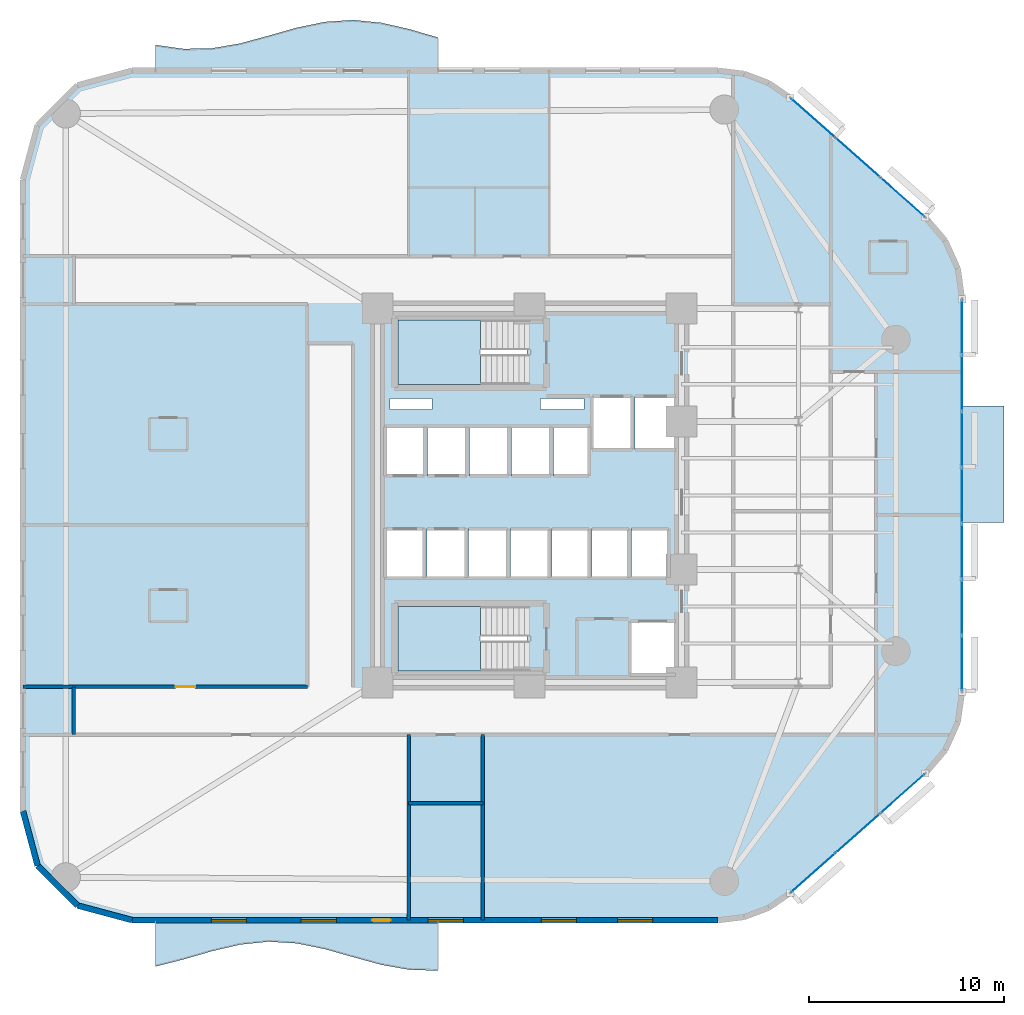
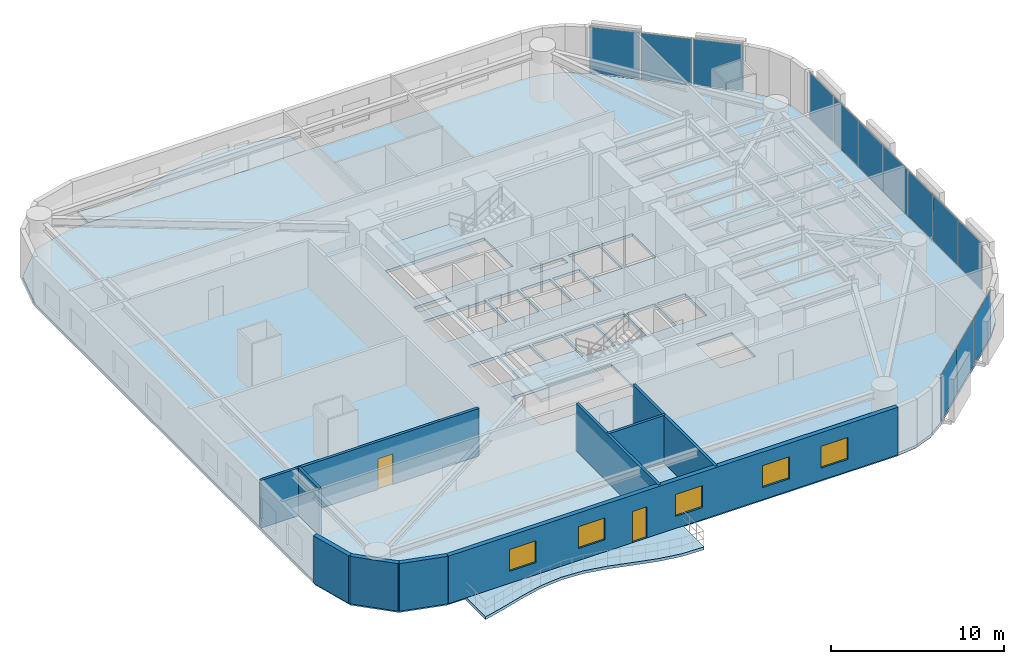
# One storey, part 9 of 16: 13 plates, 9 walls, 6 slabs, 5 windows, 2 doors, 7 openings, 5 elements without a shape of their own.
"""IFC4 building model written with IfcOpenShell, lengths in metres."""

from ifc_helpers import new_model, si_unit, direction, frame, frame_2d, origin, origin_2d, place, context, subcontext, project, spatial, polyline, rectangle, outline, extrude, material, layer, layer_set, type_object, element, fill, aggregate, save


model = new_model("IFC4")

# Units and contexts
model_context = context("Model", 3, precision=1e-05, world=origin(), true_north=direction((0.0, 1.0)))
body_context = subcontext(model_context, "Body", "Model", "MODEL_VIEW")
ifc_project = project(units=[si_unit("LENGTHUNIT", "METRE"), si_unit("AREAUNIT", "SQUARE_METRE"), si_unit("VOLUMEUNIT", "CUBIC_METRE"), si_unit("PLANEANGLEUNIT", "RADIAN"), si_unit("MASSUNIT", "GRAM", prefix="KILO")], contexts=[model_context])

# Site, building, storey
site_placement = place(None, origin())
site = spatial("IfcSite", under=ifc_project, at=site_placement, CompositionType="ELEMENT")
building_placement = place(site_placement, origin())
building = spatial("IfcBuilding", under=site, at=building_placement, Name="An Khanh Terracotta Commons", CompositionType="ELEMENT")
storey_placement = place(building_placement, frame((0.0, 0.0, 72.0)))
storey = spatial("IfcBuildingStorey", under=building, at=storey_placement, Name="L19", CompositionType="ELEMENT", Elevation=72.0)

# Curtain wall, plates
ifc_material_1 = material(Name="Anodised Aluminium 6063-T6", Category="aluminium")
ifc_layer_1 = layer(ifc_material_1, 0.199951171875, Name="Anodised Aluminium 6063-T6")
ifc_layer_set_1 = layer_set([ifc_layer_1], Name="Anodised Aluminium 6063-T6")
curtain_wall_type = type_object("IfcCurtainWallType", Name="CW-SYS-02", PredefinedType="USERDEFINED", material=ifc_layer_set_1)
curtain_wall_1_placement = place(storey_placement, origin())
curtain_wall_1 = element("IfcCurtainWall", 1, at=curtain_wall_1_placement, inside=storey, type_object=curtain_wall_type, Name="L19 CW-02 Unitised Curtain Wall CW-L19-08", ObjectType="UNITISED CURTAIN WALL", PredefinedType="USERDEFINED")
ifc_material_2 = material(Name="Double Low-E Solar Control Glazing", Category="glass")
ifc_layer_2 = layer(ifc_material_2, 0.028076171875, Name="Double Low-E Solar Control Glazing")
ifc_layer_set_2 = layer_set([ifc_layer_2], Name="Double Low-E Solar Control Glazing")
plate_type = type_object("IfcPlateType", Name="CWP-IGU-28", PredefinedType="CURTAIN_PANEL", material=ifc_layer_set_2)
plate_1_placement = place(storey_placement, frame((43.95556640625, 4.637939453125, 0.06005859375), z_axis=(0.0, 0.0, 1.0), x_axis=(0.749019284633, 0.662548195415, 0.0)))
plate_1 = element("IfcPlate", 2, at=plate_1_placement, type_object=plate_type, Name="CW-02 panel 1.1", PredefinedType="CURTAIN_PANEL", context=body_context, shape_type="SweptSolid", body=[
    extrude(rectangle(XDim=2.97509765625, YDim=0.028076171875, at=origin_2d()), origin(), (0.0, 0.0, 1.0), 3.239990234375),
])
plate_2_placement = place(storey_placement, frame((46.24951171875, 6.6669921875, 0.06005859375), z_axis=(0.0, 0.0, 1.0), x_axis=(0.749019284633, 0.662548195415, 0.0)))
plate_2 = element("IfcPlate", 3, at=plate_2_placement, type_object=plate_type, Name="CW-02 panel 2.1", PredefinedType="CURTAIN_PANEL", context=body_context, shape_type="SweptSolid", body=[
    extrude(rectangle(XDim=3.010009765625, YDim=0.028076171875, at=origin_2d()), origin(), (0.0, 0.0, 1.0), 3.239990234375),
])
plate_3_placement = place(storey_placement, frame((48.54345703125, 8.696044921875, 0.06005859375), z_axis=(0.0, 0.0, 1.0), x_axis=(0.749019284633, 0.662548195415, 0.0)))
plate_3 = element("IfcPlate", 4, at=plate_3_placement, type_object=plate_type, Name="CW-02 panel 3.1", PredefinedType="CURTAIN_PANEL", context=body_context, shape_type="SweptSolid", body=[
    extrude(rectangle(XDim=2.97509765625, YDim=0.028076171875, at=origin_2d()), origin(), (0.0, 0.0, 1.0), 3.239990234375),
])
aggregate(curtain_wall_1, [plate_1, plate_2, plate_3])

curtain_wall_2_placement = place(storey_placement, origin())
curtain_wall_2 = element("IfcCurtainWall", 5, at=curtain_wall_2_placement, inside=storey, type_object=curtain_wall_type, Name="L19 CW-02 Unitised Curtain Wall CW-L19-12", ObjectType="UNITISED CURTAIN WALL", PredefinedType="USERDEFINED")
plate_4_placement = place(storey_placement, frame((51.60009765625, 15.380126953125, 0.06005859375), z_axis=(0.0, 0.0, 1.0), x_axis=(0.0, 1.0, 0.0)))
plate_4 = element("IfcPlate", 6, at=plate_4_placement, type_object=plate_type, Name="CW-02 panel 1.1", PredefinedType="CURTAIN_PANEL", context=body_context, shape_type="SweptSolid", body=[
    extrude(rectangle(XDim=2.774169921875, YDim=0.028076171875, at=origin_2d()), origin(), (0.0, 0.0, 1.0), 3.239990234375),
])
plate_5_placement = place(storey_placement, frame((51.60009765625, 18.24169921875, 0.06005859375), z_axis=(0.0, 0.0, 1.0), x_axis=(0.0, 1.0, 0.0)))
plate_5 = element("IfcPlate", 7, at=plate_5_placement, type_object=plate_type, Name="CW-02 panel 2.1", PredefinedType="CURTAIN_PANEL", context=body_context, shape_type="SweptSolid", body=[
    extrude(rectangle(XDim=2.80908203125, YDim=0.028076171875, at=origin_2d()), origin(), (0.0, 0.0, 1.0), 3.239990234375),
])
plate_6_placement = place(storey_placement, frame((51.60009765625, 21.120849609375, 0.06005859375), z_axis=(0.0, 0.0, 1.0), x_axis=(0.0, 1.0, 0.0)))
plate_6 = element("IfcPlate", 8, at=plate_6_placement, type_object=plate_type, Name="CW-02 panel 3.1", PredefinedType="CURTAIN_PANEL", context=body_context, shape_type="SweptSolid", body=[
    extrude(rectangle(XDim=2.80908203125, YDim=0.028076171875, at=origin_2d()), origin(), (0.0, 0.0, 1.0), 3.239990234375),
])
plate_7_placement = place(storey_placement, frame((51.60009765625, 24.0, 0.06005859375), z_axis=(0.0, 0.0, 1.0), x_axis=(0.0, 1.0, 0.0)))
plate_7 = element("IfcPlate", 9, at=plate_7_placement, type_object=plate_type, Name="CW-02 panel 4.1", PredefinedType="CURTAIN_PANEL", context=body_context, shape_type="SweptSolid", body=[
    extrude(rectangle(XDim=2.80908203125, YDim=0.028076171875, at=origin_2d()), origin(), (0.0, 0.0, 1.0), 3.239990234375),
])
plate_8_placement = place(storey_placement, frame((51.60009765625, 26.879150390625, 0.06005859375), z_axis=(0.0, 0.0, 1.0), x_axis=(0.0, 1.0, 0.0)))
plate_8 = element("IfcPlate", 10, at=plate_8_placement, type_object=plate_type, Name="CW-02 panel 5.1", PredefinedType="CURTAIN_PANEL", context=body_context, shape_type="SweptSolid", body=[
    extrude(rectangle(XDim=2.80908203125, YDim=0.028076171875, at=origin_2d()), origin(), (0.0, 0.0, 1.0), 3.239990234375),
])
plate_9_placement = place(storey_placement, frame((51.60009765625, 29.75830078125, 0.06005859375), z_axis=(0.0, 0.0, 1.0), x_axis=(0.0, 1.0, 0.0)))
plate_9 = element("IfcPlate", 11, at=plate_9_placement, type_object=plate_type, Name="CW-02 panel 6.1", PredefinedType="CURTAIN_PANEL", context=body_context, shape_type="SweptSolid", body=[
    extrude(rectangle(XDim=2.80908203125, YDim=0.028076171875, at=origin_2d()), origin(), (0.0, 0.0, 1.0), 3.239990234375),
])
plate_10_placement = place(storey_placement, frame((51.60009765625, 32.619873046875, 0.06005859375), z_axis=(0.0, 0.0, 1.0), x_axis=(0.0, 1.0, 0.0)))
plate_10 = element("IfcPlate", 12, at=plate_10_placement, type_object=plate_type, Name="CW-02 panel 7.1", PredefinedType="CURTAIN_PANEL", context=body_context, shape_type="SweptSolid", body=[
    extrude(rectangle(XDim=2.774169921875, YDim=0.028076171875, at=origin_2d()), origin(), (0.0, 0.0, 1.0), 3.239990234375),
])
aggregate(curtain_wall_2, [plate_4, plate_5, plate_6, plate_7, plate_8, plate_9, plate_10])

curtain_wall_3_placement = place(storey_placement, origin())
curtain_wall_3 = element("IfcCurtainWall", 13, at=curtain_wall_3_placement, inside=storey, type_object=curtain_wall_type, Name="L19 CW-02 Unitised Curtain Wall CW-L19-16", ObjectType="UNITISED CURTAIN WALL", PredefinedType="USERDEFINED")
plate_11_placement = place(storey_placement, frame((48.54345703125, 39.303955078125, 0.06005859375), z_axis=(0.0, 0.0, 1.0), x_axis=(-0.749019284633, 0.662548195415, 0.0)))
plate_11 = element("IfcPlate", 14, at=plate_11_placement, type_object=plate_type, Name="CW-02 panel 1.1", PredefinedType="CURTAIN_PANEL", context=body_context, shape_type="SweptSolid", body=[
    extrude(rectangle(XDim=2.97509765625, YDim=0.028076171875, at=origin_2d()), origin(), (0.0, 0.0, 1.0), 3.239990234375),
])
plate_12_placement = place(storey_placement, frame((46.24951171875, 41.3330078125, 0.06005859375), z_axis=(0.0, 0.0, 1.0), x_axis=(-0.749019284633, 0.662548195415, 0.0)))
plate_12 = element("IfcPlate", 15, at=plate_12_placement, type_object=plate_type, Name="CW-02 panel 2.1", PredefinedType="CURTAIN_PANEL", context=body_context, shape_type="SweptSolid", body=[
    extrude(rectangle(XDim=3.010009765625, YDim=0.028076171875, at=origin_2d()), origin(), (0.0, 0.0, 1.0), 3.239990234375),
])
plate_13_placement = place(storey_placement, frame((43.95556640625, 43.362060546875, 0.06005859375), z_axis=(0.0, 0.0, 1.0), x_axis=(-0.749019284633, 0.662548195415, 0.0)))
plate_13 = element("IfcPlate", 16, at=plate_13_placement, type_object=plate_type, Name="CW-02 panel 3.1", PredefinedType="CURTAIN_PANEL", context=body_context, shape_type="SweptSolid", body=[
    extrude(rectangle(XDim=2.97509765625, YDim=0.028076171875, at=origin_2d()), origin(), (0.0, 0.0, 1.0), 3.239990234375),
])
aggregate(curtain_wall_3, [plate_11, plate_12, plate_13])

# Slabs
ifc_material_3 = material(Name="Concrete C40/50", Category="concrete")
ifc_layer_3 = layer(ifc_material_3, 0.199951171875, Name="Concrete C40/50")
ifc_layer_set_3 = layer_set([ifc_layer_3], Name="Concrete C40/50")
slab_type_1 = type_object("IfcSlabType", Name="SLAB-BALC-200", PredefinedType="FLOOR", material=ifc_layer_set_3)
slab_1_placement = place(storey_placement, frame((0.0, 0.0, -0.199951171875)))
element("IfcSlab", 17, at=slab_1_placement, inside=storey, type_object=slab_type_1, Name="L19 S Sinusoidal Wave Balcony Slab", PredefinedType="FLOOR", context=body_context, shape_type="SweptSolid", body=[
    extrude(outline(polyline([(10.199951171875, 2.199951171875), (10.199951171875, -0.179931640625), (11.64990234375, 0.18896484375), (13.10009765625, 0.610107421875), (14.550048828125, 0.947998046875), (16.0, 1.097900390625), (17.449951171875, 1.010986328125), (18.89990234375, 0.716064453125), (20.35009765625, 0.305908203125), (21.800048828125, -0.091064453125), (23.25, -0.347900390625), (24.699951171875, -0.385986328125), (24.699951171875, 2.199951171875), (10.199951171875, 2.199951171875)])), origin(), (0.0, 0.0, 1.0), 0.199951171875),
])
slab_2_placement = place(storey_placement, frame((0.0, 0.0, -0.199951171875)))
element("IfcSlab", 18, at=slab_2_placement, inside=storey, type_object=slab_type_1, Name="L19 N Sinusoidal Wave Balcony Slab", PredefinedType="FLOOR", context=body_context, shape_type="SweptSolid", body=[
    extrude(outline(polyline([(24.699951171875, 45.800048828125), (24.699951171875, 47.50390625), (23.25, 47.923095703125), (21.800048828125, 48.257080078125), (20.35009765625, 48.39892578125), (18.89990234375, 48.303955078125), (17.449951171875, 48.00390625), (16.0, 47.591064453125), (14.550048828125, 47.197021484375), (13.10009765625, 46.946044921875), (11.64990234375, 46.9169921875), (10.199951171875, 47.1201171875), (10.199951171875, 45.800048828125), (24.699951171875, 45.800048828125)])), origin(), (0.0, 0.0, 1.0), 0.199951171875),
])
ifc_layer_4 = layer(ifc_material_3, 0.22998046875, Name="Concrete C40/50")
ifc_layer_set_4 = layer_set([ifc_layer_4], Name="Concrete C40/50")
slab_type_2 = type_object("IfcSlabType", Name="SLAB-BOXROOF-230", PredefinedType="ROOF", material=ifc_layer_set_4)
slab_3_placement = place(storey_placement, frame((0.0, 0.0, -0.199951171875)))
element("IfcSlab", 19, at=slab_3_placement, inside=storey, type_object=slab_type_2, Name="L19 Shifted Social Kitchen Box Closing Roof Slab (L18)", PredefinedType="ROOF", context=body_context, shape_type="SweptSolid", body=[
    extrude(outline(polyline([(51.60009765625, 22.60009765625), (53.75, 22.60009765625), (53.75, 28.60009765625), (51.60009765625, 28.60009765625), (51.60009765625, 22.60009765625)])), origin(), (0.0, 0.0, 1.0), 0.199951171875),
])

# Stair, slab
ifc_material_4 = material(Name="Precast concrete C40/50", Category="concrete")
stair_type = type_object("IfcStairType", Name="STAIR-CORE-1550", PredefinedType="HALF_TURN_STAIR", material=ifc_material_4)
stair_1_placement = place(storey_placement, origin())
stair_1 = element("IfcStair", 20, at=stair_1_placement, inside=storey, type_object=stair_type, Name="L19 Core Smokeproof Exit Stair ST-01", PredefinedType="HALF_TURN_STAIR")
ifc_layer_5 = layer(ifc_material_3, 0.18994140625, Name="Concrete C40/50")
ifc_layer_set_5 = layer_set([ifc_layer_5], Name="Concrete C40/50")
slab_type_3 = type_object("IfcSlabType", Name="SLAB-LANDING-190", PredefinedType="LANDING", material=ifc_layer_set_5)
slab_4_placement = place(storey_placement, frame((0.0, 0.0, 1.60009765625)))
slab_4 = element("IfcSlab", 21, at=slab_4_placement, type_object=slab_type_3, Name="ST-01 landing 1", PredefinedType="LANDING", context=body_context, shape_type="SweptSolid", body=[
    extrude(outline(polyline([(26.889892578125, 33.0), (22.64990234375, 33.0), (22.64990234375, 29.699951171875), (26.889892578125, 29.699951171875), (26.889892578125, 33.0)])), origin(), (0.0, 0.0, 1.0), 0.199951171875),
])
aggregate(stair_1, [slab_4])

stair_2_placement = place(storey_placement, origin())
stair_2 = element("IfcStair", 22, at=stair_2_placement, inside=storey, type_object=stair_type, Name="L19 Core Smokeproof Exit Stair ST-02", PredefinedType="HALF_TURN_STAIR")
slab_5_placement = place(storey_placement, frame((0.0, 0.0, 1.60009765625)))
slab_5 = element("IfcSlab", 23, at=slab_5_placement, type_object=slab_type_3, Name="ST-02 landing 1", PredefinedType="LANDING", context=body_context, shape_type="SweptSolid", body=[
    extrude(outline(polyline([(26.889892578125, 18.300048828125), (22.64990234375, 18.300048828125), (22.64990234375, 15.0), (26.889892578125, 15.0), (26.889892578125, 18.300048828125)])), origin(), (0.0, 0.0, 1.0), 0.199951171875),
])
aggregate(stair_2, [slab_5])

# Slab
ifc_layer_6 = layer(ifc_material_3, 0.199951171875, Name="Concrete C40/50")
ifc_layer_set_6 = layer_set([ifc_layer_6], Name="Concrete C40/50")
slab_type_4 = type_object("IfcSlabType", Name="SLAB-TYP-200", PredefinedType="FLOOR", material=ifc_layer_set_6)
slab_6_placement = place(storey_placement, frame((0.0, 0.0, -0.199951171875)))
element("IfcSlab", 24, at=slab_6_placement, inside=storey, type_object=slab_type_4, Name="L19 Structural Floor Slab", PredefinedType="FLOOR", context=body_context, shape_type="SweptSolid", body=[
    extrude(outline(polyline([(3.39990234375, 7.800048828125), (4.14990234375, 5.0), (6.199951171875, 2.949951171875), (9.0, 2.199951171875), (39.0791015625, 2.199951171875), (40.4169921875, 2.362060546875), (41.678955078125, 2.840087890625), (42.7890625, 3.60595703125), (49.7099609375, 9.72802734375), (50.73193359375, 10.927978515625), (51.37890625, 12.363037109375), (51.60009765625, 13.923095703125), (51.60009765625, 34.076904296875), (51.37890625, 35.636962890625), (50.73193359375, 37.072021484375), (49.7099609375, 38.27197265625), (42.7890625, 44.39404296875), (41.678955078125, 45.159912109375), (40.4169921875, 45.637939453125), (39.0791015625, 45.800048828125), (9.0, 45.800048828125), (6.199951171875, 45.050048828125), (4.14990234375, 43.0), (3.39990234375, 40.199951171875), (3.39990234375, 7.800048828125)]), holes=[polyline([(22.64990234375, 29.699951171875), (29.27001953125, 29.699951171875), (29.27001953125, 33.0), (22.64990234375, 33.0), (22.64990234375, 29.699951171875)]), polyline([(22.64990234375, 15.0), (29.27001953125, 15.0), (29.27001953125, 18.300048828125), (22.64990234375, 18.300048828125), (22.64990234375, 15.0)]), polyline([(32.60009765625, 26.35009765625), (34.679931640625, 26.35009765625), (34.679931640625, 29.080078125), (32.60009765625, 29.080078125), (32.60009765625, 26.35009765625)]), polyline([(34.820068359375, 26.35009765625), (36.89990234375, 26.35009765625), (36.89990234375, 29.080078125), (34.820068359375, 29.080078125), (34.820068359375, 26.35009765625)]), polyline([(34.550048828125, 14.800048828125), (36.89990234375, 14.800048828125), (36.89990234375, 17.550048828125), (34.550048828125, 17.550048828125), (34.550048828125, 14.800048828125)]), polyline([(22.0, 25.0), (24.02001953125, 25.0), (24.02001953125, 27.5), (22.0, 27.5), (22.0, 25.0)]), polyline([(24.159912109375, 25.0), (26.179931640625, 25.0), (26.179931640625, 27.5), (24.159912109375, 27.5), (24.159912109375, 25.0)]), polyline([(22.0, 19.800048828125), (24.0, 19.800048828125), (24.0, 22.300048828125), (22.0, 22.300048828125), (22.0, 19.800048828125)]), polyline([(24.139892578125, 19.800048828125), (26.139892578125, 19.800048828125), (26.139892578125, 22.300048828125), (24.139892578125, 22.300048828125), (24.139892578125, 19.800048828125)]), polyline([(26.320068359375, 25.0), (28.340087890625, 25.0), (28.340087890625, 27.5), (26.320068359375, 27.5), (26.320068359375, 25.0)]), polyline([(28.47998046875, 25.0), (30.5, 25.0), (30.5, 27.5), (28.47998046875, 27.5), (28.47998046875, 25.0)]), polyline([(26.280029296875, 19.800048828125), (28.280029296875, 19.800048828125), (28.280029296875, 22.300048828125), (26.280029296875, 22.300048828125), (26.280029296875, 19.800048828125)]), polyline([(28.419921875, 19.800048828125), (30.419921875, 19.800048828125), (30.419921875, 22.300048828125), (28.419921875, 22.300048828125), (28.419921875, 19.800048828125)]), polyline([(30.639892578125, 25.0), (32.4599609375, 25.0), (32.4599609375, 27.5), (30.639892578125, 27.5), (30.639892578125, 25.0)]), polyline([(30.56005859375, 19.800048828125), (32.4599609375, 19.800048828125), (32.4599609375, 22.300048828125), (30.56005859375, 22.300048828125), (30.56005859375, 19.800048828125)]), polyline([(32.60009765625, 19.800048828125), (34.5, 19.800048828125), (34.5, 22.300048828125), (32.60009765625, 22.300048828125), (32.60009765625, 19.800048828125)]), polyline([(34.639892578125, 19.800048828125), (36.5400390625, 19.800048828125), (36.5400390625, 22.300048828125), (34.639892578125, 22.300048828125), (34.639892578125, 19.800048828125)]), polyline([(22.25, 28.419921875), (24.39990234375, 28.419921875), (24.39990234375, 28.97998046875), (22.25, 28.97998046875), (22.25, 28.419921875)]), polyline([(29.949951171875, 28.419921875), (32.199951171875, 28.419921875), (32.199951171875, 28.97998046875), (29.949951171875, 28.97998046875), (29.949951171875, 28.419921875)])]), origin(), (0.0, 0.0, 1.0), 0.199951171875),
])

# Wall
ifc_material_5 = material(Name="Fire-Rated Gypsum Board on Steel Stud", Category="steel")
ifc_layer_7 = layer(ifc_material_5, 0.179931640625, Name="Fire-Rated Gypsum Board on Steel Stud")
ifc_layer_set_7 = layer_set([ifc_layer_7], Name="Fire-Rated Gypsum Board on Steel Stud")
wall_type_1 = type_object("IfcWallType", Name="WALL-CORR-180", PredefinedType="PARTITIONING", material=ifc_layer_set_7)
wall_1_placement = place(storey_placement, frame((23.199951171875, 8.199951171875, 0.0), z_axis=(0.0, 0.0, 1.0), x_axis=(1.0, 0.0, 0.0)))
element("IfcWall", 25, at=wall_1_placement, inside=storey, type_object=wall_type_1, Name="L19 Interior Partition IW-L19-E001", PredefinedType="PARTITIONING", context=body_context, shape_type="SweptSolid", body=[
    extrude(rectangle(XDim=3.800048828125, YDim=0.179931640625, at=frame_2d((1.89990234375, 0.0))), origin(), (0.0, 0.0, 1.0), 3.360107421875),
])

# Wall, opening, door
wall_2_placement = place(storey_placement, frame((3.39990234375, 14.179931640625, 0.0), z_axis=(0.0, 0.0, 1.0), x_axis=(1.0, 0.0, 0.0)))
wall_2 = element("IfcWall", 26, at=wall_2_placement, inside=storey, type_object=wall_type_1, Name="L19 Interior Partition IW-L19-E003", PredefinedType="PARTITIONING", context=body_context, shape_type="SweptSolid", body=[
    extrude(rectangle(XDim=14.60009765625, YDim=0.179931640625, at=frame_2d((7.300048828125, 0.0))), origin(), (0.0, 0.0, 1.0), 3.360107421875),
])
opening_1_placement = place(wall_2_placement, frame((7.840087890625, 0.0, 0.0)))
opening_1 = element("IfcOpeningElement", 27, at=opening_1_placement, cuts=wall_2, Name="Opening D-UN", PredefinedType="OPENING", context=body_context, shape_type="SweptSolid", body=[
    extrude(rectangle(XDim=1.0, YDim=2.14990234375, at=frame_2d((0.5, 1.074951171875))), frame((0.0, 0.099853515625, 0.0), z_axis=(0.0, -1.0, 0.0), x_axis=(1.0, 0.0, 0.0)), (0.0, 0.0, 1.0), 0.199951171875),
])
ifc_material_6 = material(Name="Solid-Core Hardwood Acoustic Fire Door", Category="wood")
door_type_1 = type_object("IfcDoorType", Name="DOOR-UNIT-1000", OperationType="NOTDEFINED", PredefinedType="DOOR", material=ifc_material_6)
door_1_placement = place(opening_1_placement, origin())
door_1 = element("IfcDoor", 28, at=door_1_placement, inside=storey, type_object=door_type_1, Name="L19 WW1 Kitchenette and Studio Apartment Door", OperationType="SINGLE_SWING_LEFT", OverallHeight=2.14990234375, OverallWidth=1.0, PredefinedType="DOOR", context=body_context, shape_type="SweptSolid", body=[
    extrude(rectangle(XDim=1.0, YDim=2.14990234375, at=frame_2d((0.5, 1.074951171875))), frame((0.0, 0.02490234375, 0.0), z_axis=(0.0, -1.0, 0.0), x_axis=(1.0, 0.0, 0.0)), (0.0, 0.0, 1.0), 0.050048828125),
])
fill(opening_1, door_1)

# Walls
wall_3_placement = place(storey_placement, frame((6.0, 11.719970703125, 0.0), z_axis=(0.0, 0.0, 1.0), x_axis=(0.0, 1.0, 0.0)))
element("IfcWall", 29, at=wall_3_placement, inside=storey, type_object=wall_type_1, Name="L19 Interior Partition IW-L19-E014", PredefinedType="PARTITIONING", context=body_context, shape_type="SweptSolid", body=[
    extrude(rectangle(XDim=2.4599609375, YDim=0.179931640625, at=frame_2d((1.22998046875, 0.0))), origin(), (0.0, 0.0, 1.0), 3.360107421875),
])
for number, where, z_axis, x_axis, name in (
    (30, (23.199951171875, 2.199951171875, 0.0), (0.0, 0.0, 1.0), (0.0, 1.0, 0.0), "L19 Interior Partition IW-L19-E018"),
    (31, (27.0, 2.199951171875, 0.0), (0.0, 0.0, 1.0), (0.0, 1.0, 0.0), "L19 Interior Partition IW-L19-E021"),
):
    element("IfcWall", number, at=place(storey_placement, frame(where, z_axis=z_axis, x_axis=x_axis)), inside=storey, type_object=wall_type_1, Name=name, PredefinedType="PARTITIONING", context=body_context, shape_type="SweptSolid", body=[
        extrude(rectangle(XDim=9.52001953125, YDim=0.179931640625, at=frame_2d((4.760009765625, 0.0))), origin(), (0.0, 0.0, 1.0), 3.360107421875),
    ])
ifc_layer_8 = layer(ifc_material_4, 0.300048828125, Name="Precast concrete C40/50")
ifc_layer_set_8 = layer_set([ifc_layer_8], Name="Precast concrete C40/50")
wall_type_2 = type_object("IfcWallType", Name="WALL-EXT-300", PredefinedType="SOLIDWALL", material=ifc_layer_set_8)
wall_4_placement = place(storey_placement, frame((3.39990234375, 7.800048828125, 0.0), z_axis=(0.0, 0.0, 1.0), x_axis=(0.258731875344, -0.96594917914, 0.0)))
element("IfcWall", 32, at=wall_4_placement, inside=storey, type_object=wall_type_2, Name="L19 Insulated Terracotta Exterior Wall 1", PredefinedType="SOLIDWALL", context=body_context, shape_type="SweptSolid", body=[
    extrude(rectangle(XDim=2.898681640625, YDim=0.300048828125, at=frame_2d((1.44921875, 0.0))), origin(), (0.0, 0.0, 1.0), 3.360107421875),
])
wall_5_placement = place(storey_placement, frame((4.14990234375, 5.0, 0.0), z_axis=(0.0, 0.0, 1.0), x_axis=(0.707106781187, -0.707106781187, 0.0)))
element("IfcWall", 33, at=wall_5_placement, inside=storey, type_object=wall_type_2, Name="L19 Insulated Terracotta Exterior Wall 2", PredefinedType="SOLIDWALL", context=body_context, shape_type="SweptSolid", body=[
    extrude(rectangle(XDim=2.899169921875, YDim=0.300048828125, at=frame_2d((1.44970703125, 0.0))), origin(), (0.0, 0.0, 1.0), 3.360107421875),
])
wall_6_placement = place(storey_placement, frame((6.199951171875, 2.949951171875, 0.0), z_axis=(0.0, 0.0, 1.0), x_axis=(0.96594917914, -0.258731875344, 0.0)))
element("IfcWall", 34, at=wall_6_placement, inside=storey, type_object=wall_type_2, Name="L19 Insulated Terracotta Exterior Wall 3", PredefinedType="SOLIDWALL", context=body_context, shape_type="SweptSolid", body=[
    extrude(rectangle(XDim=2.898681640625, YDim=0.300048828125, at=frame_2d((1.44921875, 0.0))), origin(), (0.0, 0.0, 1.0), 3.360107421875),
])

# Wall, openings, door, windows
wall_7_placement = place(storey_placement, frame((9.0, 2.199951171875, 0.0), z_axis=(0.0, 0.0, 1.0), x_axis=(1.0, 0.0, 0.0)))
wall_7 = element("IfcWall", 35, at=wall_7_placement, inside=storey, type_object=wall_type_2, Name="L19 Insulated Terracotta Exterior Wall 4", PredefinedType="SOLIDWALL", context=body_context, shape_type="SweptSolid", body=[
    extrude(rectangle(XDim=30.0791015625, YDim=0.300048828125, at=frame_2d((15.03955078125, 0.0))), origin(), (0.0, 0.0, 1.0), 3.360107421875),
])
opening_2_placement = place(wall_7_placement, frame((12.324951171875, 0.0, 0.0)))
opening_2 = element("IfcOpeningElement", 36, at=opening_2_placement, cuts=wall_7, Name="Opening D-BAL", PredefinedType="OPENING", context=body_context, shape_type="SweptSolid", body=[
    extrude(rectangle(XDim=0.949951171875, YDim=2.199951171875, at=frame_2d((0.47509765625, 1.10009765625))), frame((0.0, 0.159912109375, 0.0), z_axis=(0.0, -1.0, 0.0), x_axis=(1.0, 0.0, 0.0)), (0.0, 0.0, 1.0), 0.320068359375),
])
opening_3_placement = place(wall_7_placement, frame((4.06689453125, 0.0, 0.85009765625)))
opening_3 = element("IfcOpeningElement", 37, at=opening_3_placement, cuts=wall_7, Name="Opening W-01", PredefinedType="OPENING", context=body_context, shape_type="SweptSolid", body=[
    extrude(rectangle(XDim=1.800048828125, YDim=1.550048828125, at=frame_2d((0.89990234375, 0.77490234375))), frame((0.0, 0.159912109375, 0.0), z_axis=(0.0, -1.0, 0.0), x_axis=(1.0, 0.0, 0.0)), (0.0, 0.0, 1.0), 0.320068359375),
])
opening_4_placement = place(wall_7_placement, frame((8.68310546875, 0.0, 0.85009765625)))
opening_4 = element("IfcOpeningElement", 38, at=opening_4_placement, cuts=wall_7, Name="Opening W-01", PredefinedType="OPENING", context=body_context, shape_type="SweptSolid", body=[
    extrude(rectangle(XDim=1.800048828125, YDim=1.550048828125, at=frame_2d((0.89990234375, 0.77490234375))), frame((0.0, 0.159912109375, 0.0), z_axis=(0.0, -1.0, 0.0), x_axis=(1.0, 0.0, 0.0)), (0.0, 0.0, 1.0), 0.320068359375),
])
opening_5_placement = place(wall_7_placement, frame((15.199951171875, 0.0, 0.85009765625)))
opening_5 = element("IfcOpeningElement", 39, at=opening_5_placement, cuts=wall_7, Name="Opening W-01", PredefinedType="OPENING", context=body_context, shape_type="SweptSolid", body=[
    extrude(rectangle(XDim=1.800048828125, YDim=1.550048828125, at=frame_2d((0.89990234375, 0.77490234375))), frame((0.0, 0.159912109375, 0.0), z_axis=(0.0, -1.0, 0.0), x_axis=(1.0, 0.0, 0.0)), (0.0, 0.0, 1.0), 0.320068359375),
])
opening_6_placement = place(wall_7_placement, frame((21.010009765625, 0.0, 0.85009765625)))
opening_6 = element("IfcOpeningElement", 40, at=opening_6_placement, cuts=wall_7, Name="Opening W-01", PredefinedType="OPENING", context=body_context, shape_type="SweptSolid", body=[
    extrude(rectangle(XDim=1.800048828125, YDim=1.550048828125, at=frame_2d((0.89990234375, 0.77490234375))), frame((0.0, 0.159912109375, 0.0), z_axis=(0.0, -1.0, 0.0), x_axis=(1.0, 0.0, 0.0)), (0.0, 0.0, 1.0), 0.320068359375),
])
opening_7_placement = place(wall_7_placement, frame((24.9189453125, 0.0, 0.85009765625)))
opening_7 = element("IfcOpeningElement", 41, at=opening_7_placement, cuts=wall_7, Name="Opening W-01", PredefinedType="OPENING", context=body_context, shape_type="SweptSolid", body=[
    extrude(rectangle(XDim=1.800048828125, YDim=1.550048828125, at=frame_2d((0.89990234375, 0.77490234375))), frame((0.0, 0.159912109375, 0.0), z_axis=(0.0, -1.0, 0.0), x_axis=(1.0, 0.0, 0.0)), (0.0, 0.0, 1.0), 0.320068359375),
])
ifc_material_7 = material(Name="Thermally Broken Aluminium and Low-E Glass", Category="aluminium")
door_type_2 = type_object("IfcDoorType", Name="DOOR-BALC-950", OperationType="NOTDEFINED", PredefinedType="DOOR", material=ifc_material_7)
door_2_placement = place(opening_2_placement, origin())
door_2 = element("IfcDoor", 42, at=door_2_placement, inside=storey, type_object=door_type_2, Name="L19 S Wave Balcony Glazed Door", OperationType="SINGLE_SWING_LEFT", OverallHeight=2.199951171875, OverallWidth=0.949951171875, PredefinedType="DOOR", context=body_context, shape_type="SweptSolid", body=[
    extrude(rectangle(XDim=0.949951171875, YDim=2.199951171875, at=frame_2d((0.47509765625, 1.10009765625))), frame((0.0, 0.02490234375, 0.0), z_axis=(0.0, -1.0, 0.0), x_axis=(1.0, 0.0, 0.0)), (0.0, 0.0, 1.0), 0.050048828125),
])
fill(opening_2, door_2)
window_type = type_object("IfcWindowType", Name="WIN-Z1-1800x1550", PartitioningType="DOUBLE_PANEL_VERTICAL", PredefinedType="WINDOW", material=ifc_material_7)
window_1_placement = place(opening_3_placement, origin())
window_1 = element("IfcWindow", 43, at=window_1_placement, inside=storey, type_object=window_type, Name="L19 Operable Casement Window 4.1", OverallHeight=1.550048828125, OverallWidth=1.800048828125, PartitioningType="DOUBLE_PANEL_VERTICAL", PredefinedType="WINDOW", context=body_context, shape_type="SweptSolid", body=[
    extrude(rectangle(XDim=1.800048828125, YDim=1.550048828125, at=frame_2d((0.89990234375, 0.77490234375))), frame((0.0, 0.030029296875, 0.0), z_axis=(0.0, -1.0, 0.0), x_axis=(1.0, 0.0, 0.0)), (0.0, 0.0, 1.0), 0.06005859375),
])
fill(opening_3, window_1)
window_2_placement = place(opening_4_placement, origin())
window_2 = element("IfcWindow", 44, at=window_2_placement, inside=storey, type_object=window_type, Name="L19 Operable Casement Window 4.2", OverallHeight=1.550048828125, OverallWidth=1.800048828125, PartitioningType="DOUBLE_PANEL_VERTICAL", PredefinedType="WINDOW", context=body_context, shape_type="SweptSolid", body=[
    extrude(rectangle(XDim=1.800048828125, YDim=1.550048828125, at=frame_2d((0.89990234375, 0.77490234375))), frame((0.0, 0.030029296875, 0.0), z_axis=(0.0, -1.0, 0.0), x_axis=(1.0, 0.0, 0.0)), (0.0, 0.0, 1.0), 0.06005859375),
])
fill(opening_4, window_2)
window_3_placement = place(opening_5_placement, origin())
window_3 = element("IfcWindow", 45, at=window_3_placement, inside=storey, type_object=window_type, Name="L19 Operable Casement Window 4.3", OverallHeight=1.550048828125, OverallWidth=1.800048828125, PartitioningType="DOUBLE_PANEL_VERTICAL", PredefinedType="WINDOW", context=body_context, shape_type="SweptSolid", body=[
    extrude(rectangle(XDim=1.800048828125, YDim=1.550048828125, at=frame_2d((0.89990234375, 0.77490234375))), frame((0.0, 0.030029296875, 0.0), z_axis=(0.0, -1.0, 0.0), x_axis=(1.0, 0.0, 0.0)), (0.0, 0.0, 1.0), 0.06005859375),
])
fill(opening_5, window_3)
window_4_placement = place(opening_6_placement, origin())
window_4 = element("IfcWindow", 46, at=window_4_placement, inside=storey, type_object=window_type, Name="L19 Operable Casement Window 4.4", OverallHeight=1.550048828125, OverallWidth=1.800048828125, PartitioningType="DOUBLE_PANEL_VERTICAL", PredefinedType="WINDOW", context=body_context, shape_type="SweptSolid", body=[
    extrude(rectangle(XDim=1.800048828125, YDim=1.550048828125, at=frame_2d((0.89990234375, 0.77490234375))), frame((0.0, 0.030029296875, 0.0), z_axis=(0.0, -1.0, 0.0), x_axis=(1.0, 0.0, 0.0)), (0.0, 0.0, 1.0), 0.06005859375),
])
fill(opening_6, window_4)
window_5_placement = place(opening_7_placement, origin())
window_5 = element("IfcWindow", 47, at=window_5_placement, inside=storey, type_object=window_type, Name="L19 Operable Casement Window 4.5", OverallHeight=1.550048828125, OverallWidth=1.800048828125, PartitioningType="DOUBLE_PANEL_VERTICAL", PredefinedType="WINDOW", context=body_context, shape_type="SweptSolid", body=[
    extrude(rectangle(XDim=1.800048828125, YDim=1.550048828125, at=frame_2d((0.89990234375, 0.77490234375))), frame((0.0, 0.030029296875, 0.0), z_axis=(0.0, -1.0, 0.0), x_axis=(1.0, 0.0, 0.0)), (0.0, 0.0, 1.0), 0.06005859375),
])
fill(opening_7, window_5)

save(model, "model.ifc")
